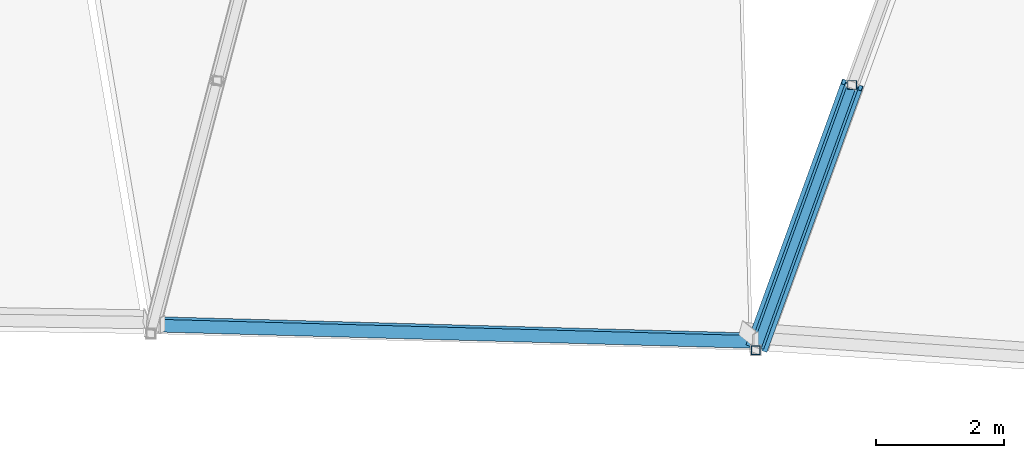
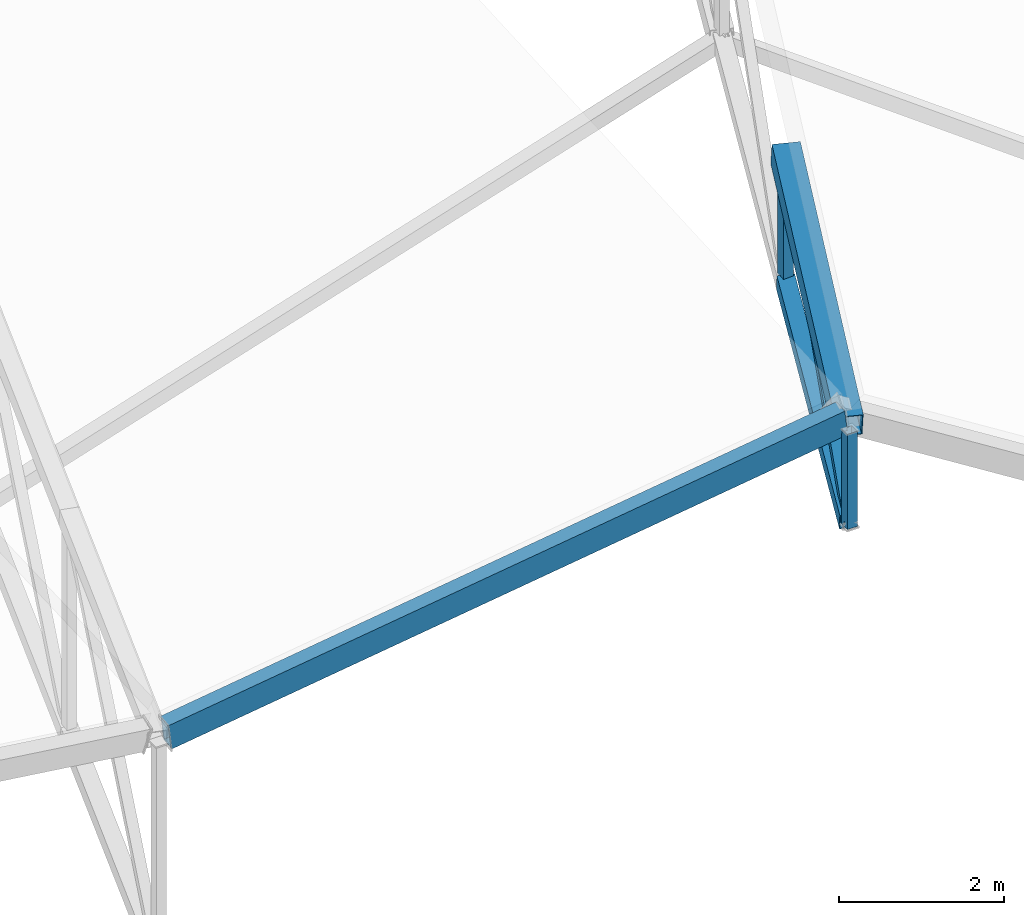
# One storey, part 152 of 344: 5 members, 1 beam.
"""IFC4 building model written with IfcOpenShell, lengths in metres."""

from ifc_helpers import new_model, si_unit, direction, frame, origin, origin_2d, place, context, subcontext, project, spatial, hollow_rectangle, extrude, material, material_profile, profile_set, type_object, element, save


model = new_model("IFC4")

# Units and contexts
model_context = context("Model", 3, precision=1e-05, world=origin(), true_north=direction((0.0, 1.0)))
body_context = subcontext(model_context, "Body", "Model", "MODEL_VIEW")
ifc_project = project(units=[si_unit("LENGTHUNIT", "METRE"), si_unit("AREAUNIT", "SQUARE_METRE"), si_unit("VOLUMEUNIT", "CUBIC_METRE"), si_unit("PLANEANGLEUNIT", "RADIAN"), si_unit("MASSUNIT", "GRAM", prefix="KILO")], contexts=[model_context])

# Site, building, storey
site_placement = place(None, origin())
site = spatial("IfcSite", under=ifc_project, at=site_placement, CompositionType="ELEMENT")
building_placement = place(site_placement, origin())
building = spatial("IfcBuilding", under=site, at=building_placement, Name="Meseta Stadium", CompositionType="ELEMENT")
storey_placement = place(building_placement, frame((0.0, 0.0, 24.0)))
storey = spatial("IfcBuildingStorey", under=building, at=storey_placement, Name="L04", CompositionType="ELEMENT", Elevation=24.0)

# Beam
ifc_material_1 = material(Name="Steel S355", Category="steel")
ifc_material_profile_1 = material_profile(ifc_material_1, hollow_rectangle(XDim=0.199951171875, YDim=0.39990234375, WallThickness=0.01611328125, at=origin_2d()), Name="RHS 400x200x16")
ifc_profile_set_1 = profile_set([ifc_material_profile_1], Name="Steel S355")
beam_type = type_object("IfcBeamType", Name="RHS 400x200x16 tip ring beam", PredefinedType="BEAM", material=ifc_profile_set_1)
beam_placement = place(storey_placement, frame((23.864990234375, 65.728271484375, 6.543212890625), z_axis=(-0.986143063137, 0.027012646472, -0.16368315722), x_axis=(-0.010415854255, -0.994789403215, -0.101417716551)))
element("IfcBeam", 1, at=beam_placement, inside=storey, type_object=beam_type, Name="TIP RING BEAM 17", PredefinedType="BEAM", context=body_context, shape_type="SweptSolid", body=[
    extrude(hollow_rectangle(XDim=0.199951171875, YDim=0.39990234375, WallThickness=0.01611328125, at=origin_2d()), origin(), (0.0, 0.0, 1.0), 9.417724609375),
])

# Members
ifc_material_2 = material(Name="Steel S355", Category="steel")
ifc_material_profile_2 = material_profile(ifc_material_2, hollow_rectangle(XDim=0.139892578125, YDim=0.139892578125, WallThickness=0.0048828125, at=origin_2d()), Name="SHS 140x140x5")
ifc_profile_set_2 = profile_set([ifc_material_profile_2], Name="Steel S355")
member_type_1 = type_object("IfcMemberType", Name="SHS 140x140x5 diagonal", PredefinedType="BRACE", material=ifc_profile_set_2)
member_1_placement = place(storey_placement, frame((23.879638671875, 65.576904296875, 5.052734375), z_axis=(0.298780438207, 0.823191288138, 0.482790174795), x_axis=(-0.939999305221, 0.341176356426, 0.0)))
element("IfcMember", 2, at=member_1_placement, inside=storey, type_object=member_type_1, Name="ROOF TRUSS RT-16 diagonal", PredefinedType="BRACE", context=body_context, shape_type="SweptSolid", body=[
    extrude(hollow_rectangle(XDim=0.139892578125, YDim=0.139892578125, WallThickness=0.0048828125, at=origin_2d()), origin(), (0.0, 0.0, 1.0), 5.056396484375),
])
ifc_material_3 = material(Name="Steel S355", Category="steel")
ifc_material_profile_3 = material_profile(ifc_material_3, hollow_rectangle(XDim=0.139892578125, YDim=0.139892578125, WallThickness=0.0048828125, at=origin_2d()), Name="SHS 140x140x5")
ifc_profile_set_3 = profile_set([ifc_material_profile_3], Name="Steel S355")
member_type_2 = type_object("IfcMemberType", Name="SHS 140x140x5 post", PredefinedType="POST", material=ifc_profile_set_3)
member_2_placement = place(storey_placement, frame((25.390380859375, 69.7392578125, 5.589111328125), z_axis=(0.0, 0.0, 1.0), x_axis=(1.0, 0.0, 0.0)))
element("IfcMember", 3, at=member_2_placement, inside=storey, type_object=member_type_2, Name="ROOF TRUSS RT-16 post", PredefinedType="POST", context=body_context, shape_type="SweptSolid", body=[
    extrude(hollow_rectangle(XDim=0.139892578125, YDim=0.139892578125, WallThickness=0.0048828125, at=origin_2d()), origin(), (0.0, 0.0, 1.0), 1.90478515625),
])
ifc_material_4 = material(Name="Steel S355", Category="steel")
ifc_material_profile_4 = material_profile(ifc_material_4, hollow_rectangle(XDim=0.139892578125, YDim=0.139892578125, WallThickness=0.0048828125, at=origin_2d()), Name="SHS 140x140x5")
ifc_profile_set_4 = profile_set([ifc_material_profile_4], Name="Steel S355")
member_type_3 = type_object("IfcMemberType", Name="SHS 140x140x5 rim post", PredefinedType="POST", material=ifc_profile_set_4)
member_3_placement = place(storey_placement, frame((23.879638671875, 65.576904296875, 5.052734375), z_axis=(0.0, 0.0, 1.0), x_axis=(1.0, 0.0, 0.0)))
element("IfcMember", 4, at=member_3_placement, inside=storey, type_object=member_type_3, Name="ROOF TRUSS RT-16 post", PredefinedType="POST", context=body_context, shape_type="SweptSolid", body=[
    extrude(hollow_rectangle(XDim=0.139892578125, YDim=0.139892578125, WallThickness=0.0048828125, at=origin_2d()), origin(), (0.0, 0.0, 1.0), 1.400146484375),
])
ifc_material_5 = material(Name="Steel S355", Category="steel")
ifc_material_profile_5 = material_profile(ifc_material_5, hollow_rectangle(XDim=0.219970703125, YDim=0.219970703125, WallThickness=0.008056640625, at=origin_2d()), Name="SHS 220x220x8")
ifc_profile_set_5 = profile_set([ifc_material_profile_5], Name="Steel S355")
member_type_4 = type_object("IfcMemberType", Name="SHS 220x220x8 bottom chord", PredefinedType="CHORD", material=ifc_profile_set_5)
member_4_placement = place(storey_placement, frame((23.903564453125, 65.642333984375, 5.061279296875), z_axis=(0.338665731197, 0.933193700364, 0.120229115082), x_axis=(-0.940012389566, 0.341140304658, 0.0)))
element("IfcMember", 5, at=member_4_placement, inside=storey, type_object=member_type_4, Name="ROOF TRUSS RT-16 bottom chord", PredefinedType="CHORD", context=body_context, shape_type="SweptSolid", body=[
    extrude(hollow_rectangle(XDim=0.219970703125, YDim=0.219970703125, WallThickness=0.008056640625, at=origin_2d()), origin(), (0.0, 0.0, 1.0), 4.39013671875),
])
ifc_material_6 = material(Name="Steel S355", Category="steel")
ifc_material_profile_6 = material_profile(ifc_material_6, hollow_rectangle(XDim=0.35009765625, YDim=0.35009765625, WallThickness=0.010009765625, at=origin_2d()), Name="SHS 350x350x10")
ifc_profile_set_6 = profile_set([ifc_material_profile_6], Name="Steel S355")
member_type_5 = type_object("IfcMemberType", Name="SHS 350x350x10 top chord", PredefinedType="CHORD", material=ifc_profile_set_6)
member_5_placement = place(storey_placement, frame((23.903076171875, 65.64111328125, 6.46875), z_axis=(0.332092001692, 0.915051927183, 0.228899263806), x_axis=(-0.9400090593, 0.341149481071, 0.0)))
element("IfcMember", 6, at=member_5_placement, inside=storey, type_object=member_type_5, Name="ROOF TRUSS RT-16 top chord", PredefinedType="CHORD", context=body_context, shape_type="SweptSolid", body=[
    extrude(hollow_rectangle(XDim=0.35009765625, YDim=0.35009765625, WallThickness=0.010009765625, at=origin_2d()), origin(), (0.0, 0.0, 1.0), 4.478515625),
])

save(model, "model.ifc")
